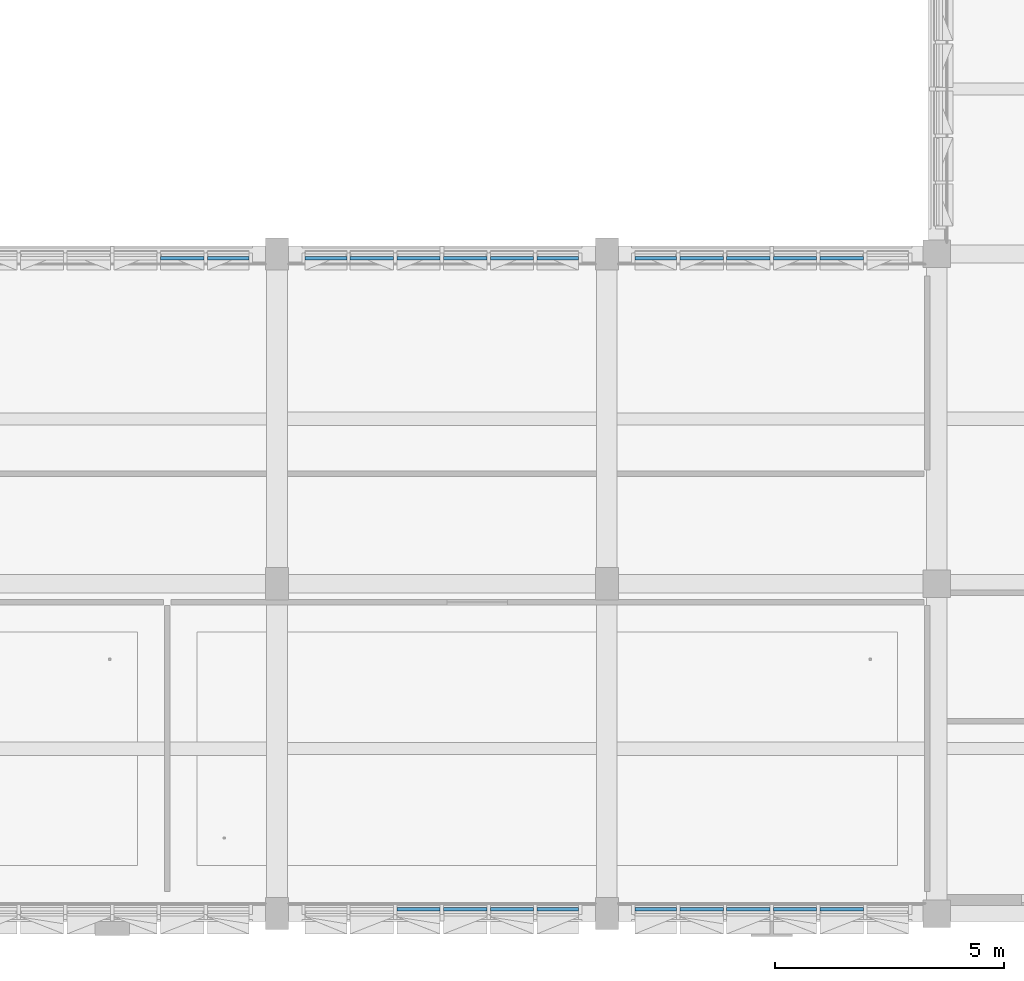
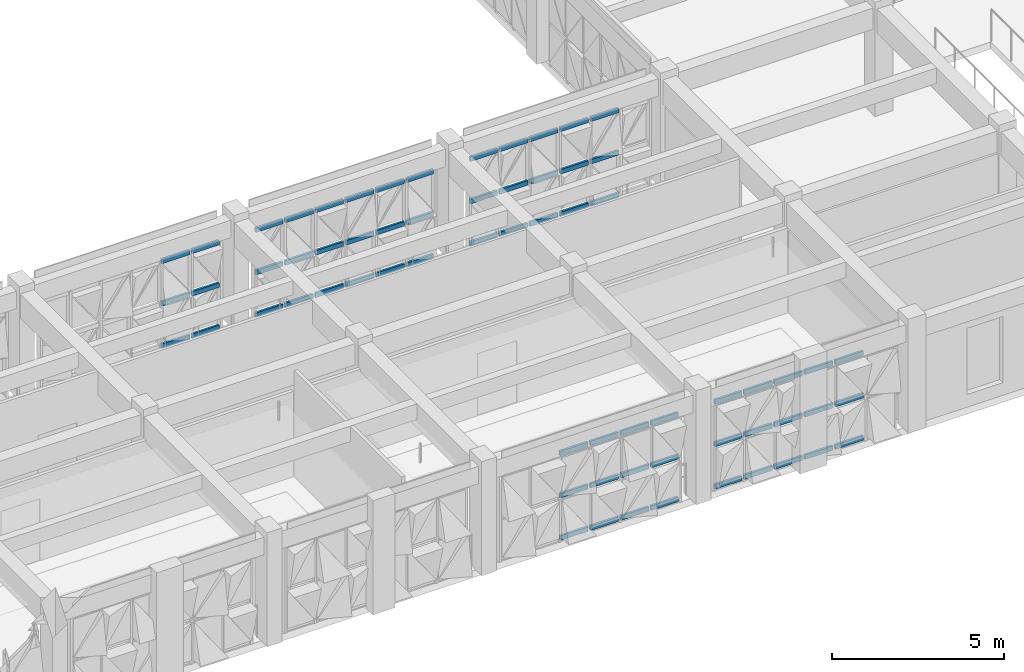
# One storey, part 22 of 88: 66 members, 5 elements without a shape of their own.
"""IFC4 building model written with IfcOpenShell, lengths in metres."""

from ifc_helpers import new_model, si_unit, direction, frame, origin, origin_2d, place, context, subcontext, project, spatial, rectangle, extrude, material, material_profile, profile_set, type_object, element, aggregate, save


model = new_model("IFC4")

# Units and contexts
model_context = context("Model", 3, precision=1e-05, world=origin(), true_north=direction((0.0, 1.0)))
body_context = subcontext(model_context, "Body", "Model", "MODEL_VIEW")
ifc_project = project(units=[si_unit("LENGTHUNIT", "METRE"), si_unit("AREAUNIT", "SQUARE_METRE"), si_unit("VOLUMEUNIT", "CUBIC_METRE"), si_unit("PLANEANGLEUNIT", "RADIAN"), si_unit("MASSUNIT", "GRAM", prefix="KILO")], contexts=[model_context])

# Site, building, storey
site_placement = place(None, origin())
site = spatial("IfcSite", under=ifc_project, at=site_placement, CompositionType="ELEMENT")
building_placement = place(site_placement, origin())
building = spatial("IfcBuilding", under=site, at=building_placement, Name="Alvorim Cloister Faculty of Sciences", CompositionType="ELEMENT")
storey_placement = place(building_placement, frame((0.0, 0.0, 4.5)))
storey = spatial("IfcBuildingStorey", under=building, at=storey_placement, Name="L01", CompositionType="ELEMENT", Elevation=4.5)

# Curtain wall, members
ifc_material_1 = material(Name="Aluminium and Low-E Glass Curtain Wall", Category="aluminium")
curtain_wall_type = type_object("IfcCurtainWallType", Name="CW-TRI-6120x3170", PredefinedType="USERDEFINED", material=ifc_material_1)
curtain_wall_1_placement = place(storey_placement, origin())
curtain_wall_1 = element("IfcCurtainWall", 1, at=curtain_wall_1_placement, inside=storey, type_object=curtain_wall_type, Name="L01 Diagonal Cassette Curtain Wall CW-0029", ObjectType="UNITISED CURTAIN WALL", PredefinedType="USERDEFINED")
ifc_material_2 = material(Name="Aluminium Alloy 6063-T6", Category="aluminium")
ifc_material_profile = material_profile(ifc_material_2, rectangle(XDim=0.074951171875, YDim=0.159912109375, at=origin_2d()), Name="ALU-TRN-75x160")
ifc_profile_set = profile_set([ifc_material_profile], Name="Aluminium Alloy 6063-T6")
member_type = type_object("IfcMemberType", Name="CW-TRN-75x160", PredefinedType="USERDEFINED", material=ifc_profile_set)
member_1_placement = place(storey_placement, frame((47.857421875, 14.31005859375, 0.080078125), z_axis=(1.0, 0.0, 0.0), x_axis=(0.0, 1.0, 0.0)))
member_1 = element("IfcMember", 2, at=member_1_placement, type_object=member_type, Name="CW-0029 Transom 5.1", ObjectType="TRANSOM", PredefinedType="USERDEFINED", context=body_context, shape_type="SweptSolid", body=[
    extrude(rectangle(XDim=0.074951171875, YDim=0.159912109375, at=origin_2d()), origin(), (0.0, 0.0, 1.0), 0.945068359375),
])
member_2_placement = place(storey_placement, frame((47.857421875, 14.31005859375, 1.5849609375), z_axis=(1.0, 0.0, 0.0), x_axis=(0.0, 1.0, 0.0)))
member_2 = element("IfcMember", 3, at=member_2_placement, type_object=member_type, Name="CW-0029 Transom 5.2", ObjectType="TRANSOM", PredefinedType="USERDEFINED", context=body_context, shape_type="SweptSolid", body=[
    extrude(rectangle(XDim=0.074951171875, YDim=0.159912109375, at=origin_2d()), origin(), (0.0, 0.0, 1.0), 0.945068359375),
])
member_3_placement = place(storey_placement, frame((47.857421875, 14.31005859375, 3.090087890625), z_axis=(1.0, 0.0, 0.0), x_axis=(0.0, 1.0, 0.0)))
member_3 = element("IfcMember", 4, at=member_3_placement, type_object=member_type, Name="CW-0029 Transom 5.3", ObjectType="TRANSOM", PredefinedType="USERDEFINED", context=body_context, shape_type="SweptSolid", body=[
    extrude(rectangle(XDim=0.074951171875, YDim=0.159912109375, at=origin_2d()), origin(), (0.0, 0.0, 1.0), 0.945068359375),
])
member_4_placement = place(storey_placement, frame((48.87744140625, 14.31005859375, 0.080078125), z_axis=(1.0, 0.0, 0.0), x_axis=(0.0, 1.0, 0.0)))
member_4 = element("IfcMember", 5, at=member_4_placement, type_object=member_type, Name="CW-0029 Transom 6.1", ObjectType="TRANSOM", PredefinedType="USERDEFINED", context=body_context, shape_type="SweptSolid", body=[
    extrude(rectangle(XDim=0.074951171875, YDim=0.159912109375, at=origin_2d()), origin(), (0.0, 0.0, 1.0), 0.907470703125),
])
member_5_placement = place(storey_placement, frame((48.87744140625, 14.31005859375, 1.5849609375), z_axis=(1.0, 0.0, 0.0), x_axis=(0.0, 1.0, 0.0)))
member_5 = element("IfcMember", 6, at=member_5_placement, type_object=member_type, Name="CW-0029 Transom 6.2", ObjectType="TRANSOM", PredefinedType="USERDEFINED", context=body_context, shape_type="SweptSolid", body=[
    extrude(rectangle(XDim=0.074951171875, YDim=0.159912109375, at=origin_2d()), origin(), (0.0, 0.0, 1.0), 0.907470703125),
])
member_6_placement = place(storey_placement, frame((48.87744140625, 14.31005859375, 3.090087890625), z_axis=(1.0, 0.0, 0.0), x_axis=(0.0, 1.0, 0.0)))
member_6 = element("IfcMember", 7, at=member_6_placement, type_object=member_type, Name="CW-0029 Transom 6.3", ObjectType="TRANSOM", PredefinedType="USERDEFINED", context=body_context, shape_type="SweptSolid", body=[
    extrude(rectangle(XDim=0.074951171875, YDim=0.159912109375, at=origin_2d()), origin(), (0.0, 0.0, 1.0), 0.907470703125),
])
aggregate(curtain_wall_1, [member_1, member_2, member_3, member_4, member_5, member_6])

curtain_wall_2_placement = place(storey_placement, origin())
curtain_wall_2 = element("IfcCurtainWall", 8, at=curtain_wall_2_placement, inside=storey, type_object=curtain_wall_type, Name="L01 Diagonal Cassette Curtain Wall CW-0030", ObjectType="UNITISED CURTAIN WALL", PredefinedType="USERDEFINED")
member_7_placement = place(storey_placement, frame((51.014892578125, 14.31005859375, 0.080078125), z_axis=(1.0, 0.0, 0.0), x_axis=(0.0, 1.0, 0.0)))
member_7 = element("IfcMember", 9, at=member_7_placement, type_object=member_type, Name="CW-0030 Transom 1.1", ObjectType="TRANSOM", PredefinedType="USERDEFINED", context=body_context, shape_type="SweptSolid", body=[
    extrude(rectangle(XDim=0.074951171875, YDim=0.159912109375, at=origin_2d()), origin(), (0.0, 0.0, 1.0), 0.90771484375),
])
member_8_placement = place(storey_placement, frame((51.014892578125, 14.31005859375, 1.5849609375), z_axis=(1.0, 0.0, 0.0), x_axis=(0.0, 1.0, 0.0)))
member_8 = element("IfcMember", 10, at=member_8_placement, type_object=member_type, Name="CW-0030 Transom 1.2", ObjectType="TRANSOM", PredefinedType="USERDEFINED", context=body_context, shape_type="SweptSolid", body=[
    extrude(rectangle(XDim=0.074951171875, YDim=0.159912109375, at=origin_2d()), origin(), (0.0, 0.0, 1.0), 0.90771484375),
])
member_9_placement = place(storey_placement, frame((51.014892578125, 14.31005859375, 3.090087890625), z_axis=(1.0, 0.0, 0.0), x_axis=(0.0, 1.0, 0.0)))
member_9 = element("IfcMember", 11, at=member_9_placement, type_object=member_type, Name="CW-0030 Transom 1.3", ObjectType="TRANSOM", PredefinedType="USERDEFINED", context=body_context, shape_type="SweptSolid", body=[
    extrude(rectangle(XDim=0.074951171875, YDim=0.159912109375, at=origin_2d()), origin(), (0.0, 0.0, 1.0), 0.90771484375),
])
member_10_placement = place(storey_placement, frame((51.99755859375, 14.31005859375, 0.080078125), z_axis=(1.0, 0.0, 0.0), x_axis=(0.0, 1.0, 0.0)))
member_10 = element("IfcMember", 12, at=member_10_placement, type_object=member_type, Name="CW-0030 Transom 2.1", ObjectType="TRANSOM", PredefinedType="USERDEFINED", context=body_context, shape_type="SweptSolid", body=[
    extrude(rectangle(XDim=0.074951171875, YDim=0.159912109375, at=origin_2d()), origin(), (0.0, 0.0, 1.0), 0.94482421875),
])
member_11_placement = place(storey_placement, frame((51.99755859375, 14.31005859375, 1.5849609375), z_axis=(1.0, 0.0, 0.0), x_axis=(0.0, 1.0, 0.0)))
member_11 = element("IfcMember", 13, at=member_11_placement, type_object=member_type, Name="CW-0030 Transom 2.2", ObjectType="TRANSOM", PredefinedType="USERDEFINED", context=body_context, shape_type="SweptSolid", body=[
    extrude(rectangle(XDim=0.074951171875, YDim=0.159912109375, at=origin_2d()), origin(), (0.0, 0.0, 1.0), 0.94482421875),
])
member_12_placement = place(storey_placement, frame((51.99755859375, 14.31005859375, 3.090087890625), z_axis=(1.0, 0.0, 0.0), x_axis=(0.0, 1.0, 0.0)))
member_12 = element("IfcMember", 14, at=member_12_placement, type_object=member_type, Name="CW-0030 Transom 2.3", ObjectType="TRANSOM", PredefinedType="USERDEFINED", context=body_context, shape_type="SweptSolid", body=[
    extrude(rectangle(XDim=0.074951171875, YDim=0.159912109375, at=origin_2d()), origin(), (0.0, 0.0, 1.0), 0.94482421875),
])
member_13_placement = place(storey_placement, frame((53.017578125, 14.31005859375, 0.080078125), z_axis=(1.0, 0.0, 0.0), x_axis=(0.0, 1.0, 0.0)))
member_13 = element("IfcMember", 15, at=member_13_placement, type_object=member_type, Name="CW-0030 Transom 3.1", ObjectType="TRANSOM", PredefinedType="USERDEFINED", context=body_context, shape_type="SweptSolid", body=[
    extrude(rectangle(XDim=0.074951171875, YDim=0.159912109375, at=origin_2d()), origin(), (0.0, 0.0, 1.0), 0.94482421875),
])
member_14_placement = place(storey_placement, frame((53.017578125, 14.31005859375, 1.5849609375), z_axis=(1.0, 0.0, 0.0), x_axis=(0.0, 1.0, 0.0)))
member_14 = element("IfcMember", 16, at=member_14_placement, type_object=member_type, Name="CW-0030 Transom 3.2", ObjectType="TRANSOM", PredefinedType="USERDEFINED", context=body_context, shape_type="SweptSolid", body=[
    extrude(rectangle(XDim=0.074951171875, YDim=0.159912109375, at=origin_2d()), origin(), (0.0, 0.0, 1.0), 0.94482421875),
])
member_15_placement = place(storey_placement, frame((53.017578125, 14.31005859375, 3.090087890625), z_axis=(1.0, 0.0, 0.0), x_axis=(0.0, 1.0, 0.0)))
member_15 = element("IfcMember", 17, at=member_15_placement, type_object=member_type, Name="CW-0030 Transom 3.3", ObjectType="TRANSOM", PredefinedType="USERDEFINED", context=body_context, shape_type="SweptSolid", body=[
    extrude(rectangle(XDim=0.074951171875, YDim=0.159912109375, at=origin_2d()), origin(), (0.0, 0.0, 1.0), 0.94482421875),
])
member_16_placement = place(storey_placement, frame((54.03759765625, 14.31005859375, 0.080078125), z_axis=(1.0, 0.0, 0.0), x_axis=(0.0, 1.0, 0.0)))
member_16 = element("IfcMember", 18, at=member_16_placement, type_object=member_type, Name="CW-0030 Transom 4.1", ObjectType="TRANSOM", PredefinedType="USERDEFINED", context=body_context, shape_type="SweptSolid", body=[
    extrude(rectangle(XDim=0.074951171875, YDim=0.159912109375, at=origin_2d()), origin(), (0.0, 0.0, 1.0), 0.94482421875),
])
member_17_placement = place(storey_placement, frame((54.03759765625, 14.31005859375, 1.5849609375), z_axis=(1.0, 0.0, 0.0), x_axis=(0.0, 1.0, 0.0)))
member_17 = element("IfcMember", 19, at=member_17_placement, type_object=member_type, Name="CW-0030 Transom 4.2", ObjectType="TRANSOM", PredefinedType="USERDEFINED", context=body_context, shape_type="SweptSolid", body=[
    extrude(rectangle(XDim=0.074951171875, YDim=0.159912109375, at=origin_2d()), origin(), (0.0, 0.0, 1.0), 0.94482421875),
])
member_18_placement = place(storey_placement, frame((54.03759765625, 14.31005859375, 3.090087890625), z_axis=(1.0, 0.0, 0.0), x_axis=(0.0, 1.0, 0.0)))
member_18 = element("IfcMember", 20, at=member_18_placement, type_object=member_type, Name="CW-0030 Transom 4.3", ObjectType="TRANSOM", PredefinedType="USERDEFINED", context=body_context, shape_type="SweptSolid", body=[
    extrude(rectangle(XDim=0.074951171875, YDim=0.159912109375, at=origin_2d()), origin(), (0.0, 0.0, 1.0), 0.94482421875),
])
member_19_placement = place(storey_placement, frame((55.0576171875, 14.31005859375, 0.080078125), z_axis=(1.0, 0.0, 0.0), x_axis=(0.0, 1.0, 0.0)))
member_19 = element("IfcMember", 21, at=member_19_placement, type_object=member_type, Name="CW-0030 Transom 5.1", ObjectType="TRANSOM", PredefinedType="USERDEFINED", context=body_context, shape_type="SweptSolid", body=[
    extrude(rectangle(XDim=0.074951171875, YDim=0.159912109375, at=origin_2d()), origin(), (0.0, 0.0, 1.0), 0.94482421875),
])
member_20_placement = place(storey_placement, frame((55.0576171875, 14.31005859375, 1.5849609375), z_axis=(1.0, 0.0, 0.0), x_axis=(0.0, 1.0, 0.0)))
member_20 = element("IfcMember", 22, at=member_20_placement, type_object=member_type, Name="CW-0030 Transom 5.2", ObjectType="TRANSOM", PredefinedType="USERDEFINED", context=body_context, shape_type="SweptSolid", body=[
    extrude(rectangle(XDim=0.074951171875, YDim=0.159912109375, at=origin_2d()), origin(), (0.0, 0.0, 1.0), 0.94482421875),
])
member_21_placement = place(storey_placement, frame((55.0576171875, 14.31005859375, 3.090087890625), z_axis=(1.0, 0.0, 0.0), x_axis=(0.0, 1.0, 0.0)))
member_21 = element("IfcMember", 23, at=member_21_placement, type_object=member_type, Name="CW-0030 Transom 5.3", ObjectType="TRANSOM", PredefinedType="USERDEFINED", context=body_context, shape_type="SweptSolid", body=[
    extrude(rectangle(XDim=0.074951171875, YDim=0.159912109375, at=origin_2d()), origin(), (0.0, 0.0, 1.0), 0.94482421875),
])
member_22_placement = place(storey_placement, frame((56.077392578125, 14.31005859375, 0.080078125), z_axis=(1.0, 0.0, 0.0), x_axis=(0.0, 1.0, 0.0)))
member_22 = element("IfcMember", 24, at=member_22_placement, type_object=member_type, Name="CW-0030 Transom 6.1", ObjectType="TRANSOM", PredefinedType="USERDEFINED", context=body_context, shape_type="SweptSolid", body=[
    extrude(rectangle(XDim=0.074951171875, YDim=0.159912109375, at=origin_2d()), origin(), (0.0, 0.0, 1.0), 0.90771484375),
])
member_23_placement = place(storey_placement, frame((56.077392578125, 14.31005859375, 1.5849609375), z_axis=(1.0, 0.0, 0.0), x_axis=(0.0, 1.0, 0.0)))
member_23 = element("IfcMember", 25, at=member_23_placement, type_object=member_type, Name="CW-0030 Transom 6.2", ObjectType="TRANSOM", PredefinedType="USERDEFINED", context=body_context, shape_type="SweptSolid", body=[
    extrude(rectangle(XDim=0.074951171875, YDim=0.159912109375, at=origin_2d()), origin(), (0.0, 0.0, 1.0), 0.90771484375),
])
member_24_placement = place(storey_placement, frame((56.077392578125, 14.31005859375, 3.090087890625), z_axis=(1.0, 0.0, 0.0), x_axis=(0.0, 1.0, 0.0)))
member_24 = element("IfcMember", 26, at=member_24_placement, type_object=member_type, Name="CW-0030 Transom 6.3", ObjectType="TRANSOM", PredefinedType="USERDEFINED", context=body_context, shape_type="SweptSolid", body=[
    extrude(rectangle(XDim=0.074951171875, YDim=0.159912109375, at=origin_2d()), origin(), (0.0, 0.0, 1.0), 0.90771484375),
])
aggregate(curtain_wall_2, [member_7, member_8, member_9, member_10, member_11, member_12, member_13, member_14, member_15, member_16, member_17, member_18, member_19, member_20, member_21, member_22, member_23, member_24])

curtain_wall_3_placement = place(storey_placement, origin())
curtain_wall_3 = element("IfcCurtainWall", 27, at=curtain_wall_3_placement, inside=storey, type_object=curtain_wall_type, Name="L01 Diagonal Cassette Curtain Wall CW-0031", ObjectType="UNITISED CURTAIN WALL", PredefinedType="USERDEFINED")
member_25_placement = place(storey_placement, frame((58.215087890625, 14.31005859375, 0.080078125), z_axis=(1.0, 0.0, 0.0), x_axis=(0.0, 1.0, 0.0)))
member_25 = element("IfcMember", 28, at=member_25_placement, type_object=member_type, Name="CW-0031 Transom 1.1", ObjectType="TRANSOM", PredefinedType="USERDEFINED", context=body_context, shape_type="SweptSolid", body=[
    extrude(rectangle(XDim=0.074951171875, YDim=0.159912109375, at=origin_2d()), origin(), (0.0, 0.0, 1.0), 0.907470703125),
])
member_26_placement = place(storey_placement, frame((58.215087890625, 14.31005859375, 1.5849609375), z_axis=(1.0, 0.0, 0.0), x_axis=(0.0, 1.0, 0.0)))
member_26 = element("IfcMember", 29, at=member_26_placement, type_object=member_type, Name="CW-0031 Transom 1.2", ObjectType="TRANSOM", PredefinedType="USERDEFINED", context=body_context, shape_type="SweptSolid", body=[
    extrude(rectangle(XDim=0.074951171875, YDim=0.159912109375, at=origin_2d()), origin(), (0.0, 0.0, 1.0), 0.907470703125),
])
member_27_placement = place(storey_placement, frame((58.215087890625, 14.31005859375, 3.090087890625), z_axis=(1.0, 0.0, 0.0), x_axis=(0.0, 1.0, 0.0)))
member_27 = element("IfcMember", 30, at=member_27_placement, type_object=member_type, Name="CW-0031 Transom 1.3", ObjectType="TRANSOM", PredefinedType="USERDEFINED", context=body_context, shape_type="SweptSolid", body=[
    extrude(rectangle(XDim=0.074951171875, YDim=0.159912109375, at=origin_2d()), origin(), (0.0, 0.0, 1.0), 0.907470703125),
])
member_28_placement = place(storey_placement, frame((59.197509765625, 14.31005859375, 0.080078125), z_axis=(1.0, 0.0, 0.0), x_axis=(0.0, 1.0, 0.0)))
member_28 = element("IfcMember", 31, at=member_28_placement, type_object=member_type, Name="CW-0031 Transom 2.1", ObjectType="TRANSOM", PredefinedType="USERDEFINED", context=body_context, shape_type="SweptSolid", body=[
    extrude(rectangle(XDim=0.074951171875, YDim=0.159912109375, at=origin_2d()), origin(), (0.0, 0.0, 1.0), 0.945068359375),
])
member_29_placement = place(storey_placement, frame((59.197509765625, 14.31005859375, 1.5849609375), z_axis=(1.0, 0.0, 0.0), x_axis=(0.0, 1.0, 0.0)))
member_29 = element("IfcMember", 32, at=member_29_placement, type_object=member_type, Name="CW-0031 Transom 2.2", ObjectType="TRANSOM", PredefinedType="USERDEFINED", context=body_context, shape_type="SweptSolid", body=[
    extrude(rectangle(XDim=0.074951171875, YDim=0.159912109375, at=origin_2d()), origin(), (0.0, 0.0, 1.0), 0.945068359375),
])
member_30_placement = place(storey_placement, frame((59.197509765625, 14.31005859375, 3.090087890625), z_axis=(1.0, 0.0, 0.0), x_axis=(0.0, 1.0, 0.0)))
member_30 = element("IfcMember", 33, at=member_30_placement, type_object=member_type, Name="CW-0031 Transom 2.3", ObjectType="TRANSOM", PredefinedType="USERDEFINED", context=body_context, shape_type="SweptSolid", body=[
    extrude(rectangle(XDim=0.074951171875, YDim=0.159912109375, at=origin_2d()), origin(), (0.0, 0.0, 1.0), 0.945068359375),
])
member_31_placement = place(storey_placement, frame((60.217529296875, 14.31005859375, 0.080078125), z_axis=(1.0, 0.0, 0.0), x_axis=(0.0, 1.0, 0.0)))
member_31 = element("IfcMember", 34, at=member_31_placement, type_object=member_type, Name="CW-0031 Transom 3.1", ObjectType="TRANSOM", PredefinedType="USERDEFINED", context=body_context, shape_type="SweptSolid", body=[
    extrude(rectangle(XDim=0.074951171875, YDim=0.159912109375, at=origin_2d()), origin(), (0.0, 0.0, 1.0), 0.945068359375),
])
member_32_placement = place(storey_placement, frame((60.217529296875, 14.31005859375, 1.5849609375), z_axis=(1.0, 0.0, 0.0), x_axis=(0.0, 1.0, 0.0)))
member_32 = element("IfcMember", 35, at=member_32_placement, type_object=member_type, Name="CW-0031 Transom 3.2", ObjectType="TRANSOM", PredefinedType="USERDEFINED", context=body_context, shape_type="SweptSolid", body=[
    extrude(rectangle(XDim=0.074951171875, YDim=0.159912109375, at=origin_2d()), origin(), (0.0, 0.0, 1.0), 0.945068359375),
])
member_33_placement = place(storey_placement, frame((60.217529296875, 14.31005859375, 3.090087890625), z_axis=(1.0, 0.0, 0.0), x_axis=(0.0, 1.0, 0.0)))
member_33 = element("IfcMember", 36, at=member_33_placement, type_object=member_type, Name="CW-0031 Transom 3.3", ObjectType="TRANSOM", PredefinedType="USERDEFINED", context=body_context, shape_type="SweptSolid", body=[
    extrude(rectangle(XDim=0.074951171875, YDim=0.159912109375, at=origin_2d()), origin(), (0.0, 0.0, 1.0), 0.945068359375),
])
member_34_placement = place(storey_placement, frame((61.237548828125, 14.31005859375, 0.080078125), z_axis=(1.0, 0.0, 0.0), x_axis=(0.0, 1.0, 0.0)))
member_34 = element("IfcMember", 37, at=member_34_placement, type_object=member_type, Name="CW-0031 Transom 4.1", ObjectType="TRANSOM", PredefinedType="USERDEFINED", context=body_context, shape_type="SweptSolid", body=[
    extrude(rectangle(XDim=0.074951171875, YDim=0.159912109375, at=origin_2d()), origin(), (0.0, 0.0, 1.0), 0.945068359375),
])
member_35_placement = place(storey_placement, frame((61.237548828125, 14.31005859375, 1.5849609375), z_axis=(1.0, 0.0, 0.0), x_axis=(0.0, 1.0, 0.0)))
member_35 = element("IfcMember", 38, at=member_35_placement, type_object=member_type, Name="CW-0031 Transom 4.2", ObjectType="TRANSOM", PredefinedType="USERDEFINED", context=body_context, shape_type="SweptSolid", body=[
    extrude(rectangle(XDim=0.074951171875, YDim=0.159912109375, at=origin_2d()), origin(), (0.0, 0.0, 1.0), 0.945068359375),
])
member_36_placement = place(storey_placement, frame((61.237548828125, 14.31005859375, 3.090087890625), z_axis=(1.0, 0.0, 0.0), x_axis=(0.0, 1.0, 0.0)))
member_36 = element("IfcMember", 39, at=member_36_placement, type_object=member_type, Name="CW-0031 Transom 4.3", ObjectType="TRANSOM", PredefinedType="USERDEFINED", context=body_context, shape_type="SweptSolid", body=[
    extrude(rectangle(XDim=0.074951171875, YDim=0.159912109375, at=origin_2d()), origin(), (0.0, 0.0, 1.0), 0.945068359375),
])
member_37_placement = place(storey_placement, frame((62.257568359375, 14.31005859375, 0.080078125), z_axis=(1.0, 0.0, 0.0), x_axis=(0.0, 1.0, 0.0)))
member_37 = element("IfcMember", 40, at=member_37_placement, type_object=member_type, Name="CW-0031 Transom 5.1", ObjectType="TRANSOM", PredefinedType="USERDEFINED", context=body_context, shape_type="SweptSolid", body=[
    extrude(rectangle(XDim=0.074951171875, YDim=0.159912109375, at=origin_2d()), origin(), (0.0, 0.0, 1.0), 0.94482421875),
])
member_38_placement = place(storey_placement, frame((62.257568359375, 14.31005859375, 1.5849609375), z_axis=(1.0, 0.0, 0.0), x_axis=(0.0, 1.0, 0.0)))
member_38 = element("IfcMember", 41, at=member_38_placement, type_object=member_type, Name="CW-0031 Transom 5.2", ObjectType="TRANSOM", PredefinedType="USERDEFINED", context=body_context, shape_type="SweptSolid", body=[
    extrude(rectangle(XDim=0.074951171875, YDim=0.159912109375, at=origin_2d()), origin(), (0.0, 0.0, 1.0), 0.94482421875),
])
member_39_placement = place(storey_placement, frame((62.257568359375, 14.31005859375, 3.090087890625), z_axis=(1.0, 0.0, 0.0), x_axis=(0.0, 1.0, 0.0)))
member_39 = element("IfcMember", 42, at=member_39_placement, type_object=member_type, Name="CW-0031 Transom 5.3", ObjectType="TRANSOM", PredefinedType="USERDEFINED", context=body_context, shape_type="SweptSolid", body=[
    extrude(rectangle(XDim=0.074951171875, YDim=0.159912109375, at=origin_2d()), origin(), (0.0, 0.0, 1.0), 0.94482421875),
])
aggregate(curtain_wall_3, [member_25, member_26, member_27, member_28, member_29, member_30, member_31, member_32, member_33, member_34, member_35, member_36, member_37, member_38, member_39])

curtain_wall_4_placement = place(storey_placement, origin())
curtain_wall_4 = element("IfcCurtainWall", 43, at=curtain_wall_4_placement, inside=storey, type_object=curtain_wall_type, Name="L01 Diagonal Cassette Curtain Wall CW-0040", ObjectType="UNITISED CURTAIN WALL", PredefinedType="USERDEFINED")
member_40_placement = place(storey_placement, frame((58.215087890625, 0.090087890625, 0.080078125), z_axis=(1.0, 0.0, 0.0), x_axis=(0.0, 1.0, 0.0)))
member_40 = element("IfcMember", 44, at=member_40_placement, type_object=member_type, Name="CW-0040 Transom 1.1", ObjectType="TRANSOM", PredefinedType="USERDEFINED", context=body_context, shape_type="SweptSolid", body=[
    extrude(rectangle(XDim=0.074951171875, YDim=0.159912109375, at=origin_2d()), origin(), (0.0, 0.0, 1.0), 0.907470703125),
])
member_41_placement = place(storey_placement, frame((58.215087890625, 0.090087890625, 1.5849609375), z_axis=(1.0, 0.0, 0.0), x_axis=(0.0, 1.0, 0.0)))
member_41 = element("IfcMember", 45, at=member_41_placement, type_object=member_type, Name="CW-0040 Transom 1.2", ObjectType="TRANSOM", PredefinedType="USERDEFINED", context=body_context, shape_type="SweptSolid", body=[
    extrude(rectangle(XDim=0.074951171875, YDim=0.159912109375, at=origin_2d()), origin(), (0.0, 0.0, 1.0), 0.907470703125),
])
member_42_placement = place(storey_placement, frame((58.215087890625, 0.090087890625, 3.090087890625), z_axis=(1.0, 0.0, 0.0), x_axis=(0.0, 1.0, 0.0)))
member_42 = element("IfcMember", 46, at=member_42_placement, type_object=member_type, Name="CW-0040 Transom 1.3", ObjectType="TRANSOM", PredefinedType="USERDEFINED", context=body_context, shape_type="SweptSolid", body=[
    extrude(rectangle(XDim=0.074951171875, YDim=0.159912109375, at=origin_2d()), origin(), (0.0, 0.0, 1.0), 0.907470703125),
])
member_43_placement = place(storey_placement, frame((59.197509765625, 0.090087890625, 0.080078125), z_axis=(1.0, 0.0, 0.0), x_axis=(0.0, 1.0, 0.0)))
member_43 = element("IfcMember", 47, at=member_43_placement, type_object=member_type, Name="CW-0040 Transom 2.1", ObjectType="TRANSOM", PredefinedType="USERDEFINED", context=body_context, shape_type="SweptSolid", body=[
    extrude(rectangle(XDim=0.074951171875, YDim=0.159912109375, at=origin_2d()), origin(), (0.0, 0.0, 1.0), 0.945068359375),
])
member_44_placement = place(storey_placement, frame((59.197509765625, 0.090087890625, 1.5849609375), z_axis=(1.0, 0.0, 0.0), x_axis=(0.0, 1.0, 0.0)))
member_44 = element("IfcMember", 48, at=member_44_placement, type_object=member_type, Name="CW-0040 Transom 2.2", ObjectType="TRANSOM", PredefinedType="USERDEFINED", context=body_context, shape_type="SweptSolid", body=[
    extrude(rectangle(XDim=0.074951171875, YDim=0.159912109375, at=origin_2d()), origin(), (0.0, 0.0, 1.0), 0.945068359375),
])
member_45_placement = place(storey_placement, frame((59.197509765625, 0.090087890625, 3.090087890625), z_axis=(1.0, 0.0, 0.0), x_axis=(0.0, 1.0, 0.0)))
member_45 = element("IfcMember", 49, at=member_45_placement, type_object=member_type, Name="CW-0040 Transom 2.3", ObjectType="TRANSOM", PredefinedType="USERDEFINED", context=body_context, shape_type="SweptSolid", body=[
    extrude(rectangle(XDim=0.074951171875, YDim=0.159912109375, at=origin_2d()), origin(), (0.0, 0.0, 1.0), 0.945068359375),
])
member_46_placement = place(storey_placement, frame((60.217529296875, 0.090087890625, 0.080078125), z_axis=(1.0, 0.0, 0.0), x_axis=(0.0, 1.0, 0.0)))
member_46 = element("IfcMember", 50, at=member_46_placement, type_object=member_type, Name="CW-0040 Transom 3.1", ObjectType="TRANSOM", PredefinedType="USERDEFINED", context=body_context, shape_type="SweptSolid", body=[
    extrude(rectangle(XDim=0.074951171875, YDim=0.159912109375, at=origin_2d()), origin(), (0.0, 0.0, 1.0), 0.945068359375),
])
member_47_placement = place(storey_placement, frame((60.217529296875, 0.090087890625, 1.5849609375), z_axis=(1.0, 0.0, 0.0), x_axis=(0.0, 1.0, 0.0)))
member_47 = element("IfcMember", 51, at=member_47_placement, type_object=member_type, Name="CW-0040 Transom 3.2", ObjectType="TRANSOM", PredefinedType="USERDEFINED", context=body_context, shape_type="SweptSolid", body=[
    extrude(rectangle(XDim=0.074951171875, YDim=0.159912109375, at=origin_2d()), origin(), (0.0, 0.0, 1.0), 0.945068359375),
])
member_48_placement = place(storey_placement, frame((60.217529296875, 0.090087890625, 3.090087890625), z_axis=(1.0, 0.0, 0.0), x_axis=(0.0, 1.0, 0.0)))
member_48 = element("IfcMember", 52, at=member_48_placement, type_object=member_type, Name="CW-0040 Transom 3.3", ObjectType="TRANSOM", PredefinedType="USERDEFINED", context=body_context, shape_type="SweptSolid", body=[
    extrude(rectangle(XDim=0.074951171875, YDim=0.159912109375, at=origin_2d()), origin(), (0.0, 0.0, 1.0), 0.945068359375),
])
member_49_placement = place(storey_placement, frame((61.237548828125, 0.090087890625, 0.080078125), z_axis=(1.0, 0.0, 0.0), x_axis=(0.0, 1.0, 0.0)))
member_49 = element("IfcMember", 53, at=member_49_placement, type_object=member_type, Name="CW-0040 Transom 4.1", ObjectType="TRANSOM", PredefinedType="USERDEFINED", context=body_context, shape_type="SweptSolid", body=[
    extrude(rectangle(XDim=0.074951171875, YDim=0.159912109375, at=origin_2d()), origin(), (0.0, 0.0, 1.0), 0.945068359375),
])
member_50_placement = place(storey_placement, frame((61.237548828125, 0.090087890625, 1.5849609375), z_axis=(1.0, 0.0, 0.0), x_axis=(0.0, 1.0, 0.0)))
member_50 = element("IfcMember", 54, at=member_50_placement, type_object=member_type, Name="CW-0040 Transom 4.2", ObjectType="TRANSOM", PredefinedType="USERDEFINED", context=body_context, shape_type="SweptSolid", body=[
    extrude(rectangle(XDim=0.074951171875, YDim=0.159912109375, at=origin_2d()), origin(), (0.0, 0.0, 1.0), 0.945068359375),
])
member_51_placement = place(storey_placement, frame((61.237548828125, 0.090087890625, 3.090087890625), z_axis=(1.0, 0.0, 0.0), x_axis=(0.0, 1.0, 0.0)))
member_51 = element("IfcMember", 55, at=member_51_placement, type_object=member_type, Name="CW-0040 Transom 4.3", ObjectType="TRANSOM", PredefinedType="USERDEFINED", context=body_context, shape_type="SweptSolid", body=[
    extrude(rectangle(XDim=0.074951171875, YDim=0.159912109375, at=origin_2d()), origin(), (0.0, 0.0, 1.0), 0.945068359375),
])
member_52_placement = place(storey_placement, frame((62.257568359375, 0.090087890625, 0.080078125), z_axis=(1.0, 0.0, 0.0), x_axis=(0.0, 1.0, 0.0)))
member_52 = element("IfcMember", 56, at=member_52_placement, type_object=member_type, Name="CW-0040 Transom 5.1", ObjectType="TRANSOM", PredefinedType="USERDEFINED", context=body_context, shape_type="SweptSolid", body=[
    extrude(rectangle(XDim=0.074951171875, YDim=0.159912109375, at=origin_2d()), origin(), (0.0, 0.0, 1.0), 0.94482421875),
])
member_53_placement = place(storey_placement, frame((62.257568359375, 0.090087890625, 1.5849609375), z_axis=(1.0, 0.0, 0.0), x_axis=(0.0, 1.0, 0.0)))
member_53 = element("IfcMember", 57, at=member_53_placement, type_object=member_type, Name="CW-0040 Transom 5.2", ObjectType="TRANSOM", PredefinedType="USERDEFINED", context=body_context, shape_type="SweptSolid", body=[
    extrude(rectangle(XDim=0.074951171875, YDim=0.159912109375, at=origin_2d()), origin(), (0.0, 0.0, 1.0), 0.94482421875),
])
member_54_placement = place(storey_placement, frame((62.257568359375, 0.090087890625, 3.090087890625), z_axis=(1.0, 0.0, 0.0), x_axis=(0.0, 1.0, 0.0)))
member_54 = element("IfcMember", 58, at=member_54_placement, type_object=member_type, Name="CW-0040 Transom 5.3", ObjectType="TRANSOM", PredefinedType="USERDEFINED", context=body_context, shape_type="SweptSolid", body=[
    extrude(rectangle(XDim=0.074951171875, YDim=0.159912109375, at=origin_2d()), origin(), (0.0, 0.0, 1.0), 0.94482421875),
])
aggregate(curtain_wall_4, [member_40, member_41, member_42, member_43, member_44, member_45, member_46, member_47, member_48, member_49, member_50, member_51, member_52, member_53, member_54])

curtain_wall_5_placement = place(storey_placement, origin())
curtain_wall_5 = element("IfcCurtainWall", 59, at=curtain_wall_5_placement, inside=storey, type_object=curtain_wall_type, Name="L01 Diagonal Cassette Curtain Wall CW-0041", ObjectType="UNITISED CURTAIN WALL", PredefinedType="USERDEFINED")
member_55_placement = place(storey_placement, frame((53.017578125, 0.090087890625, 0.080078125), z_axis=(1.0, 0.0, 0.0), x_axis=(0.0, 1.0, 0.0)))
member_55 = element("IfcMember", 60, at=member_55_placement, type_object=member_type, Name="CW-0041 Transom 3.1", ObjectType="TRANSOM", PredefinedType="USERDEFINED", context=body_context, shape_type="SweptSolid", body=[
    extrude(rectangle(XDim=0.074951171875, YDim=0.159912109375, at=origin_2d()), origin(), (0.0, 0.0, 1.0), 0.94482421875),
])
member_56_placement = place(storey_placement, frame((53.017578125, 0.090087890625, 1.5849609375), z_axis=(1.0, 0.0, 0.0), x_axis=(0.0, 1.0, 0.0)))
member_56 = element("IfcMember", 61, at=member_56_placement, type_object=member_type, Name="CW-0041 Transom 3.2", ObjectType="TRANSOM", PredefinedType="USERDEFINED", context=body_context, shape_type="SweptSolid", body=[
    extrude(rectangle(XDim=0.074951171875, YDim=0.159912109375, at=origin_2d()), origin(), (0.0, 0.0, 1.0), 0.94482421875),
])
member_57_placement = place(storey_placement, frame((53.017578125, 0.090087890625, 3.090087890625), z_axis=(1.0, 0.0, 0.0), x_axis=(0.0, 1.0, 0.0)))
member_57 = element("IfcMember", 62, at=member_57_placement, type_object=member_type, Name="CW-0041 Transom 3.3", ObjectType="TRANSOM", PredefinedType="USERDEFINED", context=body_context, shape_type="SweptSolid", body=[
    extrude(rectangle(XDim=0.074951171875, YDim=0.159912109375, at=origin_2d()), origin(), (0.0, 0.0, 1.0), 0.94482421875),
])
member_58_placement = place(storey_placement, frame((54.03759765625, 0.090087890625, 0.080078125), z_axis=(1.0, 0.0, 0.0), x_axis=(0.0, 1.0, 0.0)))
member_58 = element("IfcMember", 63, at=member_58_placement, type_object=member_type, Name="CW-0041 Transom 4.1", ObjectType="TRANSOM", PredefinedType="USERDEFINED", context=body_context, shape_type="SweptSolid", body=[
    extrude(rectangle(XDim=0.074951171875, YDim=0.159912109375, at=origin_2d()), origin(), (0.0, 0.0, 1.0), 0.94482421875),
])
member_59_placement = place(storey_placement, frame((54.03759765625, 0.090087890625, 1.5849609375), z_axis=(1.0, 0.0, 0.0), x_axis=(0.0, 1.0, 0.0)))
member_59 = element("IfcMember", 64, at=member_59_placement, type_object=member_type, Name="CW-0041 Transom 4.2", ObjectType="TRANSOM", PredefinedType="USERDEFINED", context=body_context, shape_type="SweptSolid", body=[
    extrude(rectangle(XDim=0.074951171875, YDim=0.159912109375, at=origin_2d()), origin(), (0.0, 0.0, 1.0), 0.94482421875),
])
member_60_placement = place(storey_placement, frame((54.03759765625, 0.090087890625, 3.090087890625), z_axis=(1.0, 0.0, 0.0), x_axis=(0.0, 1.0, 0.0)))
member_60 = element("IfcMember", 65, at=member_60_placement, type_object=member_type, Name="CW-0041 Transom 4.3", ObjectType="TRANSOM", PredefinedType="USERDEFINED", context=body_context, shape_type="SweptSolid", body=[
    extrude(rectangle(XDim=0.074951171875, YDim=0.159912109375, at=origin_2d()), origin(), (0.0, 0.0, 1.0), 0.94482421875),
])
member_61_placement = place(storey_placement, frame((55.0576171875, 0.090087890625, 0.080078125), z_axis=(1.0, 0.0, 0.0), x_axis=(0.0, 1.0, 0.0)))
member_61 = element("IfcMember", 66, at=member_61_placement, type_object=member_type, Name="CW-0041 Transom 5.1", ObjectType="TRANSOM", PredefinedType="USERDEFINED", context=body_context, shape_type="SweptSolid", body=[
    extrude(rectangle(XDim=0.074951171875, YDim=0.159912109375, at=origin_2d()), origin(), (0.0, 0.0, 1.0), 0.94482421875),
])
member_62_placement = place(storey_placement, frame((55.0576171875, 0.090087890625, 1.5849609375), z_axis=(1.0, 0.0, 0.0), x_axis=(0.0, 1.0, 0.0)))
member_62 = element("IfcMember", 67, at=member_62_placement, type_object=member_type, Name="CW-0041 Transom 5.2", ObjectType="TRANSOM", PredefinedType="USERDEFINED", context=body_context, shape_type="SweptSolid", body=[
    extrude(rectangle(XDim=0.074951171875, YDim=0.159912109375, at=origin_2d()), origin(), (0.0, 0.0, 1.0), 0.94482421875),
])
member_63_placement = place(storey_placement, frame((55.0576171875, 0.090087890625, 3.090087890625), z_axis=(1.0, 0.0, 0.0), x_axis=(0.0, 1.0, 0.0)))
member_63 = element("IfcMember", 68, at=member_63_placement, type_object=member_type, Name="CW-0041 Transom 5.3", ObjectType="TRANSOM", PredefinedType="USERDEFINED", context=body_context, shape_type="SweptSolid", body=[
    extrude(rectangle(XDim=0.074951171875, YDim=0.159912109375, at=origin_2d()), origin(), (0.0, 0.0, 1.0), 0.94482421875),
])
member_64_placement = place(storey_placement, frame((56.077392578125, 0.090087890625, 0.080078125), z_axis=(1.0, 0.0, 0.0), x_axis=(0.0, 1.0, 0.0)))
member_64 = element("IfcMember", 69, at=member_64_placement, type_object=member_type, Name="CW-0041 Transom 6.1", ObjectType="TRANSOM", PredefinedType="USERDEFINED", context=body_context, shape_type="SweptSolid", body=[
    extrude(rectangle(XDim=0.074951171875, YDim=0.159912109375, at=origin_2d()), origin(), (0.0, 0.0, 1.0), 0.90771484375),
])
member_65_placement = place(storey_placement, frame((56.077392578125, 0.090087890625, 1.5849609375), z_axis=(1.0, 0.0, 0.0), x_axis=(0.0, 1.0, 0.0)))
member_65 = element("IfcMember", 70, at=member_65_placement, type_object=member_type, Name="CW-0041 Transom 6.2", ObjectType="TRANSOM", PredefinedType="USERDEFINED", context=body_context, shape_type="SweptSolid", body=[
    extrude(rectangle(XDim=0.074951171875, YDim=0.159912109375, at=origin_2d()), origin(), (0.0, 0.0, 1.0), 0.90771484375),
])
member_66_placement = place(storey_placement, frame((56.077392578125, 0.090087890625, 3.090087890625), z_axis=(1.0, 0.0, 0.0), x_axis=(0.0, 1.0, 0.0)))
member_66 = element("IfcMember", 71, at=member_66_placement, type_object=member_type, Name="CW-0041 Transom 6.3", ObjectType="TRANSOM", PredefinedType="USERDEFINED", context=body_context, shape_type="SweptSolid", body=[
    extrude(rectangle(XDim=0.074951171875, YDim=0.159912109375, at=origin_2d()), origin(), (0.0, 0.0, 1.0), 0.90771484375),
])
aggregate(curtain_wall_5, [member_55, member_56, member_57, member_58, member_59, member_60, member_61, member_62, member_63, member_64, member_65, member_66])

save(model, "model.ifc")
